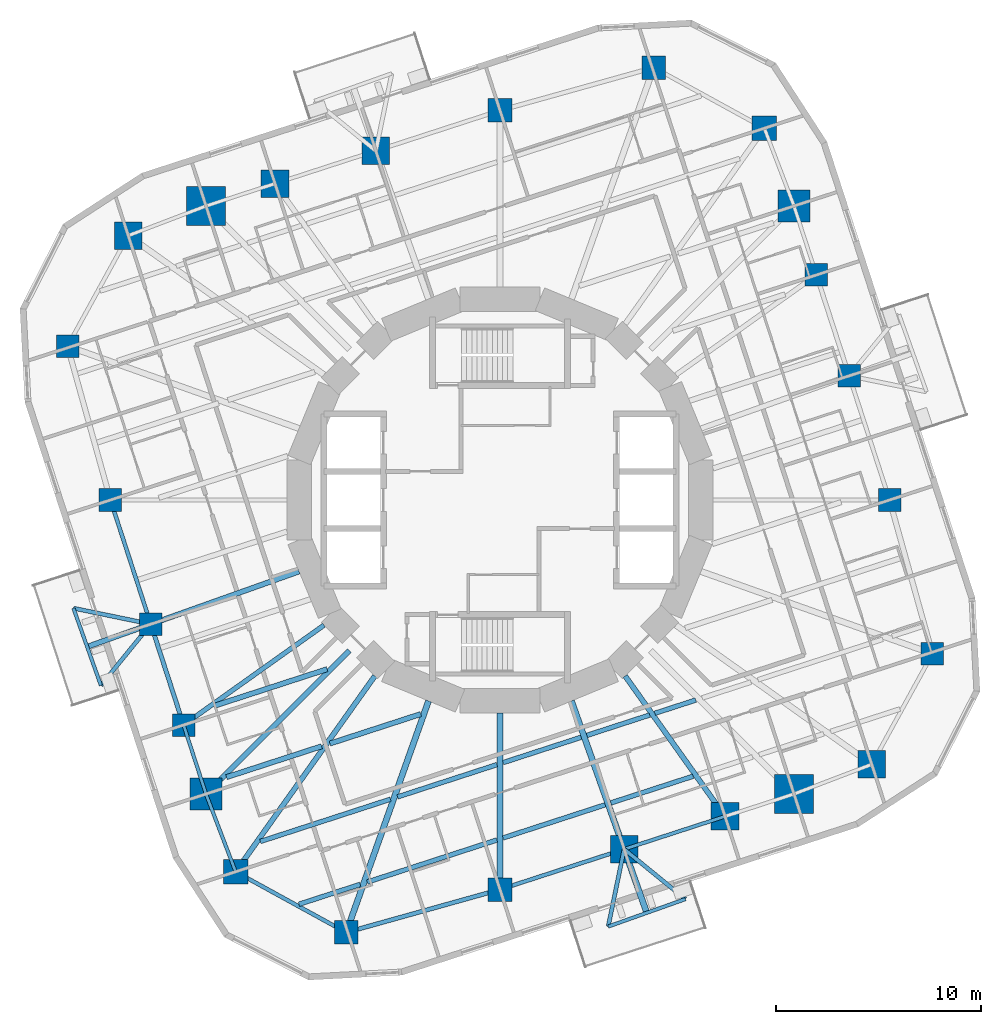
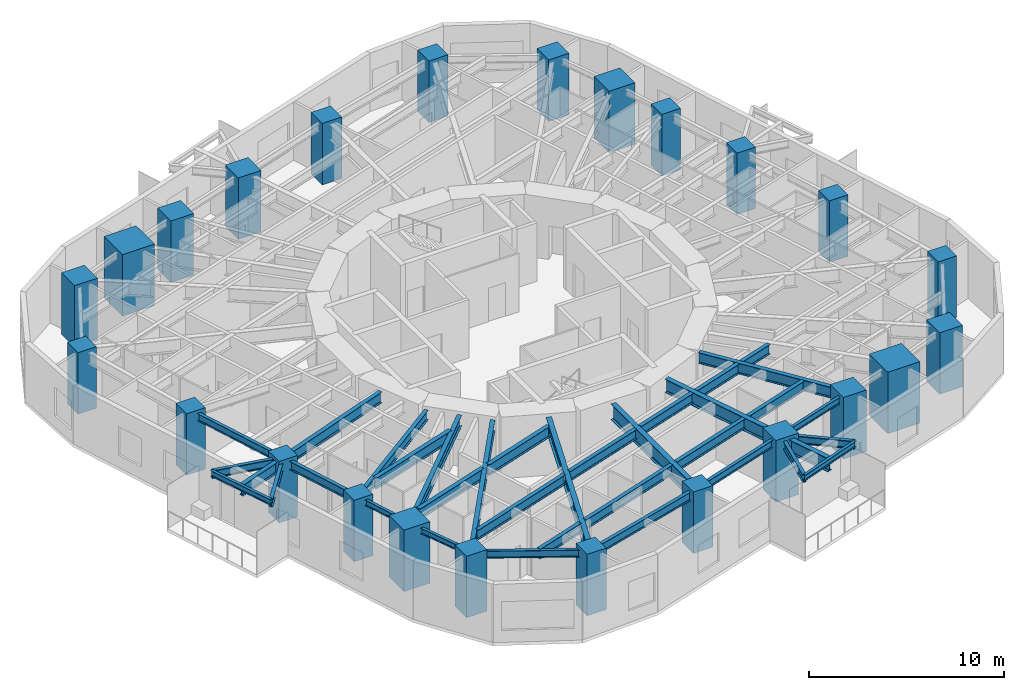
# One storey, part 1 of 12: 34 beams, 24 columns.
"""IFC4 building model written with IfcOpenShell, lengths in metres."""

from ifc_helpers import new_model, si_unit, direction, frame, origin, origin_2d, place, context, subcontext, project, spatial, rectangle, i_section, extrude, material, material_profile, profile_set, type_object, element, save


model = new_model("IFC4")

# Units and contexts
model_context = context("Model", 3, precision=1e-05, world=origin(), true_north=direction((0.0, 1.0)))
body_context = subcontext(model_context, "Body", "Model", "MODEL_VIEW")
ifc_project = project(units=[si_unit("LENGTHUNIT", "METRE"), si_unit("AREAUNIT", "SQUARE_METRE"), si_unit("VOLUMEUNIT", "CUBIC_METRE"), si_unit("PLANEANGLEUNIT", "RADIAN"), si_unit("MASSUNIT", "GRAM", prefix="KILO")], contexts=[model_context])

# Site, building, storey
site_placement = place(None, origin())
site = spatial("IfcSite", under=ifc_project, at=site_placement, CompositionType="ELEMENT")
building_placement = place(site_placement, origin())
building = spatial("IfcBuilding", under=site, at=building_placement, Name="Nakasero Lantern House", CompositionType="ELEMENT")
storey_placement = place(building_placement, frame((0.0, 0.0, 145.64990234375)))
storey = spatial("IfcBuildingStorey", under=building, at=storey_placement, Name="L35", CompositionType="ELEMENT", Elevation=145.64990234375)

# Columns
ifc_material_1 = material(Name="Concrete C50/60", Category="concrete")
ifc_material_profile_1 = material_profile(ifc_material_1, rectangle(XDim=1.550048828125, YDim=1.550048828125, at=origin_2d()), Name="RC 1550x1550")
ifc_profile_set_1 = profile_set([ifc_material_profile_1], Name="Concrete C50/60")
column_type_1 = type_object("IfcColumnType", Name="Mega column RC 1550x1550 C50/60", PredefinedType="COLUMN", material=ifc_profile_set_1)
for number, where, z_axis, x_axis, name in (
    (1, (14.3642578125, 14.3642578125, 0.0), (0.0, 0.0, 1.0), (1.0, 0.0, 0.0), "Column B4-C06 L35"),
    (2, (-14.3642578125, -14.3642578125, 0.0), (0.0, 0.0, 1.0), (1.0, 0.0, 0.0), "Column B4-C18 L35"),
):
    element("IfcColumn", number, at=place(storey_placement, frame(where, z_axis=z_axis, x_axis=x_axis)), inside=storey, type_object=column_type_1, Name=name, PredefinedType="COLUMN", context=body_context, shape_type="SweptSolid", body=[
        extrude(rectangle(XDim=1.550048828125, YDim=1.550048828125, at=origin_2d()), origin(), (0.0, 0.0, 1.0), 3.85009765625),
    ])
ifc_material_2 = material(Name="Concrete C50/60", Category="concrete")
ifc_material_profile_2 = material_profile(ifc_material_2, rectangle(XDim=1.89990234375, YDim=1.89990234375, at=origin_2d()), Name="RC 1900x1900")
ifc_profile_set_2 = profile_set([ifc_material_profile_2], Name="Concrete C50/60")
column_type_2 = type_object("IfcColumnType", Name="Mega column RC 1900x1900 C50/60", PredefinedType="COLUMN", material=ifc_profile_set_2)
for number, where, z_axis, x_axis, name in (
    (3, (-14.3642578125, 14.3642578125, 0.0), (0.0, 0.0, 1.0), (1.0, 0.0, 0.0), "Column B4-C12 L35"),
    (4, (14.3642578125, -14.3642578125, 0.0), (0.0, 0.0, 1.0), (1.0, 0.0, 0.0), "Column B4-C24 L35"),
):
    element("IfcColumn", number, at=place(storey_placement, frame(where, z_axis=z_axis, x_axis=x_axis)), inside=storey, type_object=column_type_2, Name=name, PredefinedType="COLUMN", context=body_context, shape_type="SweptSolid", body=[
        extrude(rectangle(XDim=1.89990234375, YDim=1.89990234375, at=origin_2d()), origin(), (0.0, 0.0, 1.0), 3.85009765625),
    ])
ifc_material_3 = material(Name="Concrete C50/60", Category="concrete")
ifc_material_profile_3 = material_profile(ifc_material_3, rectangle(XDim=1.10009765625, YDim=1.10009765625, at=origin_2d()), Name="RC 1100x1100")
ifc_profile_set_3 = profile_set([ifc_material_profile_3], Name="Concrete C50/60")
column_type_3 = type_object("IfcColumnType", Name="Ring column RC 1100x1100 C50/60", PredefinedType="COLUMN", material=ifc_profile_set_3)
for number, where, z_axis, x_axis, name in (
    (5, (21.129638671875, -7.5126953125, 0.0), (0.0, 0.0, 1.0), (1.0, 0.0, 0.0), "Column B4-C02 L35"),
    (6, (19.031494140625, 0.0, 0.0), (0.0, 0.0, 1.0), (1.0, 0.0, 0.0), "Column B4-C03 L35"),
    (7, (17.060546875, 6.06591796875, 0.0), (0.0, 0.0, 1.0), (1.0, 0.0, 0.0), "Column B4-C04 L35"),
    (8, (15.45947265625, 10.993408203125, 0.0), (0.0, 0.0, 1.0), (1.0, 0.0, 0.0), "Column B4-C05 L35"),
    (9, (-21.129638671875, 7.5126953125, 0.0), (0.0, 0.0, 1.0), (1.0, 0.0, 0.0), "Column B4-C14 L35"),
    (10, (-19.031494140625, 0.0, 0.0), (0.0, 0.0, 1.0), (1.0, 0.0, 0.0), "Column B4-C15 L35"),
    (11, (-17.060546875, -6.06591796875, 0.0), (0.0, 0.0, 1.0), (1.0, 0.0, 0.0), "Column B4-C16 L35"),
    (12, (-15.45947265625, -10.993408203125, 0.0), (0.0, 0.0, 1.0), (1.0, 0.0, 0.0), "Column B4-C17 L35"),
):
    element("IfcColumn", number, at=place(storey_placement, frame(where, z_axis=z_axis, x_axis=x_axis)), inside=storey, type_object=column_type_3, Name=name, PredefinedType="COLUMN", context=body_context, shape_type="SweptSolid", body=[
        extrude(rectangle(XDim=1.10009765625, YDim=1.10009765625, at=origin_2d()), origin(), (0.0, 0.0, 1.0), 3.85009765625),
    ])
ifc_material_4 = material(Name="Concrete C50/60", Category="concrete")
ifc_material_profile_4 = material_profile(ifc_material_4, rectangle(XDim=1.14990234375, YDim=1.14990234375, at=origin_2d()), Name="RC 1150x1150")
ifc_profile_set_4 = profile_set([ifc_material_profile_4], Name="Concrete C50/60")
column_type_4 = type_object("IfcColumnType", Name="Ring column RC 1150x1150 C50/60", PredefinedType="COLUMN", material=ifc_profile_set_4)
for number, where, z_axis, x_axis, name in (
    (13, (7.5126953125, 21.129638671875, 0.0), (0.0, 0.0, 1.0), (1.0, 0.0, 0.0), "Column B4-C08 L35"),
    (14, (0.0, 19.031494140625, 0.0), (0.0, 0.0, 1.0), (1.0, 0.0, 0.0), "Column B4-C09 L35"),
    (15, (-7.5126953125, -21.129638671875, 0.0), (0.0, 0.0, 1.0), (1.0, 0.0, 0.0), "Column B4-C20 L35"),
    (16, (0.0, -19.031494140625, 0.0), (0.0, 0.0, 1.0), (1.0, 0.0, 0.0), "Column B4-C21 L35"),
):
    element("IfcColumn", number, at=place(storey_placement, frame(where, z_axis=z_axis, x_axis=x_axis)), inside=storey, type_object=column_type_4, Name=name, PredefinedType="COLUMN", context=body_context, shape_type="SweptSolid", body=[
        extrude(rectangle(XDim=1.14990234375, YDim=1.14990234375, at=origin_2d()), origin(), (0.0, 0.0, 1.0), 3.85009765625),
    ])
ifc_material_5 = material(Name="Concrete C50/60", Category="concrete")
ifc_material_profile_5 = material_profile(ifc_material_5, rectangle(XDim=1.199951171875, YDim=1.199951171875, at=origin_2d()), Name="RC 1200x1200")
ifc_profile_set_5 = profile_set([ifc_material_profile_5], Name="Concrete C50/60")
column_type_5 = type_object("IfcColumnType", Name="Ring column RC 1200x1200 C50/60", PredefinedType="COLUMN", material=ifc_profile_set_5)
for number, where, z_axis, x_axis, name in (
    (17, (12.916015625, 18.1630859375, 0.0), (0.0, 0.0, 1.0), (1.0, 0.0, 0.0), "Column B4-C07 L35"),
    (18, (-12.916015625, -18.1630859375, 0.0), (0.0, 0.0, 1.0), (1.0, 0.0, 0.0), "Column B4-C19 L35"),
):
    element("IfcColumn", number, at=place(storey_placement, frame(where, z_axis=z_axis, x_axis=x_axis)), inside=storey, type_object=column_type_5, Name=name, PredefinedType="COLUMN", context=body_context, shape_type="SweptSolid", body=[
        extrude(rectangle(XDim=1.199951171875, YDim=1.199951171875, at=origin_2d()), origin(), (0.0, 0.0, 1.0), 3.85009765625),
    ])
ifc_material_6 = material(Name="Concrete C50/60", Category="concrete")
ifc_material_profile_6 = material_profile(ifc_material_6, rectangle(XDim=1.35009765625, YDim=1.35009765625, at=origin_2d()), Name="RC 1350x1350")
ifc_profile_set_6 = profile_set([ifc_material_profile_6], Name="Concrete C50/60")
column_type_6 = type_object("IfcColumnType", Name="Ring column RC 1350x1350 C50/60", PredefinedType="COLUMN", material=ifc_profile_set_6)
for number, where, z_axis, x_axis, name in (
    (19, (18.1630859375, -12.916015625, 0.0), (0.0, 0.0, 1.0), (1.0, 0.0, 0.0), "Column B4-C01 L35"),
    (20, (-6.06591796875, 17.060546875, 0.0), (0.0, 0.0, 1.0), (1.0, 0.0, 0.0), "Column B4-C10 L35"),
    (21, (-10.993408203125, 15.45947265625, 0.0), (0.0, 0.0, 1.0), (1.0, 0.0, 0.0), "Column B4-C11 L35"),
    (22, (-18.1630859375, 12.916015625, 0.0), (0.0, 0.0, 1.0), (1.0, 0.0, 0.0), "Column B4-C13 L35"),
    (23, (6.06591796875, -17.060546875, 0.0), (0.0, 0.0, 1.0), (1.0, 0.0, 0.0), "Column B4-C22 L35"),
    (24, (10.993408203125, -15.45947265625, 0.0), (0.0, 0.0, 1.0), (1.0, 0.0, 0.0), "Column B4-C23 L35"),
):
    element("IfcColumn", number, at=place(storey_placement, frame(where, z_axis=z_axis, x_axis=x_axis)), inside=storey, type_object=column_type_6, Name=name, PredefinedType="COLUMN", context=body_context, shape_type="SweptSolid", body=[
        extrude(rectangle(XDim=1.35009765625, YDim=1.35009765625, at=origin_2d()), origin(), (0.0, 0.0, 1.0), 3.85009765625),
    ])

# Beams
ifc_material_7 = material(Name="Steel S355", Category="steel")
ifc_material_profile_7 = material_profile(ifc_material_7, i_section(OverallWidth=0.199462890625, OverallDepth=0.491943359375, WebThickness=0.01806640625, FlangeThickness=0.031982421875, FilletRadius=0.01025390625, at=origin_2d()), Name="UB 457x191x161")
ifc_profile_set_7 = profile_set([ifc_material_profile_7], Name="Steel S355")
beam_type_1 = type_object("IfcBeamType", Name="Balcony splay beam UB 457x191x161", PredefinedType="BEAM", material=ifc_profile_set_7)
for number, where, z_axis, x_axis, name in (
    (25, (-17.060546875, -6.06591796875, 3.404052734375), (-0.632127727159, -0.774864205236, 0.0), (0.774864205236, -0.632127727159, 0.0), "Balcony splay beam L36 B4-C16A"),
    (26, (-17.060546875, -6.06591796875, 3.404052734375), (-0.979420272605, 0.201831438605, 0.0), (-0.201831438605, -0.979420272605, 0.0), "Balcony splay beam L36 B4-C16B"),
    (27, (6.06591796875, -17.060546875, 3.404052734375), (0.774864205236, -0.632127727159, 0.0), (0.632127727159, 0.774864205236, 0.0), "Balcony splay beam L36 B4-C22A"),
    (28, (6.06591796875, -17.060546875, 3.404052734375), (-0.201831438605, -0.979420272605, 0.0), (0.979420272605, -0.201831438605, 0.0), "Balcony splay beam L36 B4-C22B"),
):
    element("IfcBeam", number, at=place(storey_placement, frame(where, z_axis=z_axis, x_axis=x_axis)), inside=storey, type_object=beam_type_1, Name=name, PredefinedType="BEAM", context=body_context, shape_type="SweptSolid", body=[
        extrude(i_section(OverallWidth=0.199462890625, OverallDepth=0.491943359375, WebThickness=0.01806640625, FlangeThickness=0.031982421875, FilletRadius=0.01025390625, at=origin_2d()), origin(), (0.0, 0.0, 1.0), 3.858642578125),
    ])
ifc_material_8 = material(Name="Steel S355", Category="steel")
ifc_material_profile_8 = material_profile(ifc_material_8, i_section(OverallWidth=0.17138671875, OverallDepth=0.35498046875, WebThickness=0.00732421875, FlangeThickness=0.011474609375, FilletRadius=0.01025390625, at=origin_2d()), Name="UB 356x171x51")
ifc_profile_set_8 = profile_set([ifc_material_profile_8], Name="Steel S355")
beam_type_2 = type_object("IfcBeamType", Name="Balcony tie beam UB 356x171x51", PredefinedType="BEAM", material=ifc_profile_set_8)
for number, where, z_axis, x_axis, name in (
    (29, (-19.499755859375, -9.055908203125, 3.47265625), (-0.335025321236, 0.942209124415, 0.0), (-0.942209124415, -0.335025321236, 0.0), "Balcony tie beam L36 B4-C16"),
    (30, (9.055908203125, -19.499755859375, 3.47265625), (-0.942209124415, -0.335025321236, 0.0), (0.335025321236, -0.942209124415, 0.0), "Balcony tie beam L36 B4-C22"),
):
    element("IfcBeam", number, at=place(storey_placement, frame(where, z_axis=z_axis, x_axis=x_axis)), inside=storey, type_object=beam_type_2, Name=name, PredefinedType="BEAM", context=body_context, shape_type="SweptSolid", body=[
        extrude(i_section(OverallWidth=0.17138671875, OverallDepth=0.35498046875, WebThickness=0.00732421875, FlangeThickness=0.011474609375, FilletRadius=0.01025390625, at=origin_2d()), origin(), (0.0, 0.0, 1.0), 4.0),
    ])
ifc_material_9 = material(Name="Steel S355", Category="steel")
ifc_material_profile_9 = material_profile(ifc_material_9, i_section(OverallWidth=0.22900390625, OverallDepth=0.6123046875, WebThickness=0.011962890625, FlangeThickness=0.01953125, FilletRadius=0.0126953125, at=origin_2d()), Name="UB 610x229x125")
ifc_profile_set_9 = profile_set([ifc_material_profile_9], Name="Steel S355")
beam_type_3 = type_object("IfcBeamType", Name="Infill beam UB 610x229x125", PredefinedType="JOIST", material=ifc_profile_set_9)
beam_1_placement = place(storey_placement, frame((-9.823974609375, -19.75244140625, 3.343994140625), z_axis=(0.951054602662, 0.309022883872, 0.0), x_axis=(-0.309022883872, 0.951054602662, 0.0)))
element("IfcBeam", 31, at=beam_1_placement, inside=storey, type_object=beam_type_3, Name="Infill beam L36 03.1", PredefinedType="JOIST", context=body_context, shape_type="SweptSolid", body=[
    extrude(i_section(OverallWidth=0.22900390625, OverallDepth=0.6123046875, WebThickness=0.011962890625, FlangeThickness=0.01953125, FilletRadius=0.0126953125, at=origin_2d()), origin(), (0.0, 0.0, 1.0), 3.145263671875),
])
beam_2_placement = place(storey_placement, frame((-6.48193359375, -18.66650390625, 3.343994140625), z_axis=(0.951068556075, 0.308979937287, 0.0), x_axis=(-0.308979937287, 0.951068556075, 0.0)))
element("IfcBeam", 32, at=beam_2_placement, inside=storey, type_object=beam_type_3, Name="Infill beam L36 03.2", PredefinedType="JOIST", context=body_context, shape_type="SweptSolid", body=[
    extrude(i_section(OverallWidth=0.22900390625, OverallDepth=0.6123046875, WebThickness=0.011962890625, FlangeThickness=0.01953125, FilletRadius=0.0126953125, at=origin_2d()), origin(), (0.0, 0.0, 1.0), 6.65771484375),
])
beam_3_placement = place(storey_placement, frame((0.14990234375, -16.51171875, 3.343994140625), z_axis=(0.951061765699, 0.309000837904, 0.0), x_axis=(-0.309000837904, 0.951061765699, 0.0)))
element("IfcBeam", 33, at=beam_3_placement, inside=storey, type_object=beam_type_3, Name="Infill beam L36 03.3", PredefinedType="JOIST", context=body_context, shape_type="SweptSolid", body=[
    extrude(i_section(OverallWidth=0.22900390625, OverallDepth=0.6123046875, WebThickness=0.011962890625, FlangeThickness=0.01953125, FilletRadius=0.0126953125, at=origin_2d()), origin(), (0.0, 0.0, 1.0), 5.246337890625),
])
beam_4_placement = place(storey_placement, frame((5.41748046875, -14.80029296875, 3.343994140625), z_axis=(0.951057398427, 0.30901427944, 0.0), x_axis=(-0.30901427944, 0.951057398427, 0.0)))
element("IfcBeam", 34, at=beam_4_placement, inside=storey, type_object=beam_type_3, Name="Infill beam L36 03.4", PredefinedType="JOIST", context=body_context, shape_type="SweptSolid", body=[
    extrude(i_section(OverallWidth=0.22900390625, OverallDepth=0.6123046875, WebThickness=0.011962890625, FlangeThickness=0.01953125, FilletRadius=0.0126953125, at=origin_2d()), origin(), (0.0, 0.0, 1.0), 4.229248046875),
])
beam_5_placement = place(storey_placement, frame((-11.709228515625, -16.68505859375, 3.343994140625), z_axis=(0.951056080098, 0.30901833685, 0.0), x_axis=(-0.30901833685, 0.951056080098, 0.0)))
element("IfcBeam", 35, at=beam_5_placement, inside=storey, type_object=beam_type_3, Name="Infill beam L36 04.1", PredefinedType="JOIST", context=body_context, shape_type="SweptSolid", body=[
    extrude(i_section(OverallWidth=0.22900390625, OverallDepth=0.6123046875, WebThickness=0.011962890625, FlangeThickness=0.01953125, FilletRadius=0.0126953125, at=origin_2d()), origin(), (0.0, 0.0, 1.0), 6.68310546875),
])
beam_6_placement = place(storey_placement, frame((-5.00244140625, -14.505859375, 3.343994140625), z_axis=(0.951057977144, 0.309012498309, 0.0), x_axis=(-0.309012498309, 0.951057977144, 0.0)))
element("IfcBeam", 36, at=beam_6_placement, inside=storey, type_object=beam_type_3, Name="Infill beam L36 04.2", PredefinedType="JOIST", context=body_context, shape_type="SweptSolid", body=[
    extrude(i_section(OverallWidth=0.22900390625, OverallDepth=0.6123046875, WebThickness=0.011962890625, FlangeThickness=0.01953125, FilletRadius=0.0126953125, at=origin_2d()), origin(), (0.0, 0.0, 1.0), 5.102294921875),
])
beam_7_placement = place(storey_placement, frame((0.14990234375, -12.831787109375, 3.343994140625), z_axis=(0.95105910343, 0.309009031878, 0.0), x_axis=(-0.309009031878, 0.95105910343, 0.0)))
element("IfcBeam", 37, at=beam_7_placement, inside=storey, type_object=beam_type_3, Name="Infill beam L36 04.3", PredefinedType="JOIST", context=body_context, shape_type="SweptSolid", body=[
    extrude(i_section(OverallWidth=0.22900390625, OverallDepth=0.6123046875, WebThickness=0.011962890625, FlangeThickness=0.01953125, FilletRadius=0.0126953125, at=origin_2d()), origin(), (0.0, 0.0, 1.0), 4.0126953125),
])
beam_8_placement = place(storey_placement, frame((4.24462890625, -11.501220703125, 3.343994140625), z_axis=(0.951054080044, 0.309024492283, 0.0), x_axis=(-0.309024492283, 0.951054080044, 0.0)))
element("IfcBeam", 38, at=beam_8_placement, inside=storey, type_object=beam_type_3, Name="Infill beam L36 04.4", PredefinedType="JOIST", context=body_context, shape_type="SweptSolid", body=[
    extrude(i_section(OverallWidth=0.22900390625, OverallDepth=0.6123046875, WebThickness=0.011962890625, FlangeThickness=0.01953125, FilletRadius=0.0126953125, at=origin_2d()), origin(), (0.0, 0.0, 1.0), 3.227294921875),
])
beam_9_placement = place(storey_placement, frame((7.566650390625, -10.421875, 3.343994140625), z_axis=(0.951053739923, 0.30902553904, 0.0), x_axis=(-0.30902553904, 0.951053739923, 0.0)))
element("IfcBeam", 39, at=beam_9_placement, inside=storey, type_object=beam_type_3, Name="Infill beam L36 04.5", PredefinedType="JOIST", context=body_context, shape_type="SweptSolid", body=[
    extrude(i_section(OverallWidth=0.22900390625, OverallDepth=0.6123046875, WebThickness=0.011962890625, FlangeThickness=0.01953125, FilletRadius=0.0126953125, at=origin_2d()), origin(), (0.0, 0.0, 1.0), 2.09765625),
])
ifc_material_10 = material(Name="Steel S355", Category="steel")
ifc_material_profile_10 = material_profile(ifc_material_10, i_section(OverallWidth=0.253662109375, OverallDepth=0.68359375, WebThickness=0.012451171875, FlangeThickness=0.01904296875, FilletRadius=0.01513671875, at=origin_2d()), Name="UB 686x254x140")
ifc_profile_set_10 = profile_set([ifc_material_profile_10], Name="Steel S355")
beam_type_4 = type_object("IfcBeamType", Name="Infill beam UB 686x254x140", PredefinedType="JOIST", material=ifc_profile_set_10)
beam_10_placement = place(storey_placement, frame((-13.36279296875, -13.5419921875, 3.308349609375), z_axis=(0.951061574069, 0.309001427713, 0.0), x_axis=(-0.309001427713, 0.951061574069, 0.0)))
element("IfcBeam", 40, at=beam_10_placement, inside=storey, type_object=beam_type_4, Name="Infill beam L36 05.1", PredefinedType="JOIST", context=body_context, shape_type="SweptSolid", body=[
    extrude(i_section(OverallWidth=0.253662109375, OverallDepth=0.68359375, WebThickness=0.012451171875, FlangeThickness=0.01904296875, FilletRadius=0.01513671875, at=origin_2d()), origin(), (0.0, 0.0, 1.0), 4.8916015625),
])
beam_11_placement = place(storey_placement, frame((-8.305908203125, -11.89892578125, 3.308349609375), z_axis=(0.95106063111, 0.309004329989, 0.0), x_axis=(-0.309004329989, 0.95106063111, 0.0)))
element("IfcBeam", 41, at=beam_11_placement, inside=storey, type_object=beam_type_4, Name="Infill beam L36 05.2", PredefinedType="JOIST", context=body_context, shape_type="SweptSolid", body=[
    extrude(i_section(OverallWidth=0.253662109375, OverallDepth=0.68359375, WebThickness=0.012451171875, FlangeThickness=0.01904296875, FilletRadius=0.01513671875, at=origin_2d()), origin(), (0.0, 0.0, 1.0), 4.659912109375),
])
beam_12_placement = place(storey_placement, frame((-13.93017578125, -10.04638671875, 3.308349609375), z_axis=(0.951055211673, 0.309021009559, 0.0), x_axis=(-0.309021009559, 0.951055211673, 0.0)))
element("IfcBeam", 42, at=beam_12_placement, inside=storey, type_object=beam_type_4, Name="Infill beam L36 06.1", PredefinedType="JOIST", context=body_context, shape_type="SweptSolid", body=[
    extrude(i_section(OverallWidth=0.253662109375, OverallDepth=0.68359375, WebThickness=0.012451171875, FlangeThickness=0.01904296875, FilletRadius=0.01513671875, at=origin_2d()), origin(), (0.0, 0.0, 1.0), 5.769775390625),
])
ifc_material_11 = material(Name="Steel S355", Category="steel")
ifc_material_profile_11 = material_profile(ifc_material_11, i_section(OverallWidth=0.300048828125, OverallDepth=0.97998046875, WebThickness=0.0166015625, FlangeThickness=0.02587890625, FilletRadius=0.030029296875, at=origin_2d()), Name="UB 1016x305x249")
ifc_profile_set_11 = profile_set([ifc_material_profile_11], Name="Steel S355")
beam_type_5 = type_object("IfcBeamType", Name="Primary beam UB 1016x305x249, span 6 to 9 m", PredefinedType="BEAM", material=ifc_profile_set_11)
beam_13_placement = place(storey_placement, frame((0.0, -19.031494140625, 3.16015625), z_axis=(0.0, 1.0, 0.0), x_axis=(-1.0, 0.0, 0.0)))
element("IfcBeam", 43, at=beam_13_placement, inside=storey, type_object=beam_type_5, Name="Primary beam L36 B4-C21", PredefinedType="BEAM", context=body_context, shape_type="SweptSolid", body=[
    extrude(i_section(OverallWidth=0.300048828125, OverallDepth=0.97998046875, WebThickness=0.0166015625, FlangeThickness=0.02587890625, FilletRadius=0.030029296875, at=origin_2d()), origin(), (0.0, 0.0, 1.0), 8.62353515625),
])
ifc_material_12 = material(Name="Steel S355", Category="steel")
ifc_material_profile_12 = material_profile(ifc_material_12, i_section(OverallWidth=0.22900390625, OverallDepth=0.6123046875, WebThickness=0.011962890625, FlangeThickness=0.01953125, FilletRadius=0.0126953125, at=origin_2d()), Name="UB 610x229x125")
ifc_profile_set_12 = profile_set([ifc_material_profile_12], Name="Steel S355")
beam_type_6 = type_object("IfcBeamType", Name="Primary beam UB 610x229x125, span 6 to 9 m", PredefinedType="BEAM", material=ifc_profile_set_12)
beam_14_placement = place(storey_placement, frame((-15.45947265625, -10.993408203125, 3.343994140625), z_axis=(0.81495106139, 0.579529781409, 0.0), x_axis=(-0.579529781409, 0.81495106139, 0.0)))
element("IfcBeam", 44, at=beam_14_placement, inside=storey, type_object=beam_type_6, Name="Primary beam L36 B4-C17", PredefinedType="BEAM", context=body_context, shape_type="SweptSolid", body=[
    extrude(i_section(OverallWidth=0.22900390625, OverallDepth=0.6123046875, WebThickness=0.011962890625, FlangeThickness=0.01953125, FilletRadius=0.0126953125, at=origin_2d()), origin(), (0.0, 0.0, 1.0), 8.41455078125),
])
ifc_material_13 = material(Name="Steel S355", Category="steel")
ifc_material_profile_13 = material_profile(ifc_material_13, i_section(OverallWidth=0.253662109375, OverallDepth=0.68359375, WebThickness=0.012451171875, FlangeThickness=0.01904296875, FilletRadius=0.01513671875, at=origin_2d()), Name="UB 686x254x140")
ifc_profile_set_13 = profile_set([ifc_material_profile_13], Name="Steel S355")
beam_type_7 = type_object("IfcBeamType", Name="Primary beam UB 686x254x140, span 6 to 9 m", PredefinedType="BEAM", material=ifc_profile_set_13)
beam_15_placement = place(storey_placement, frame((-20.169921875, -7.17138671875, 3.308349609375), z_axis=(0.942215625619, 0.335007036998, 0.0), x_axis=(-0.335007036998, 0.942215625619, 0.0)))
element("IfcBeam", 45, at=beam_15_placement, inside=storey, type_object=beam_type_7, Name="Primary beam L36 B4-C16", PredefinedType="BEAM", context=body_context, shape_type="SweptSolid", body=[
    extrude(i_section(OverallWidth=0.253662109375, OverallDepth=0.68359375, WebThickness=0.012451171875, FlangeThickness=0.01904296875, FilletRadius=0.01513671875, at=origin_2d()), origin(), (0.0, 0.0, 1.0), 10.9853515625),
])
beam_16_placement = place(storey_placement, frame((10.993408203125, -15.45947265625, 3.308349609375), z_axis=(-0.579529781409, 0.81495106139, 0.0), x_axis=(-0.81495106139, -0.579529781409, 0.0)))
element("IfcBeam", 46, at=beam_16_placement, inside=storey, type_object=beam_type_7, Name="Primary beam L36 B4-C23", PredefinedType="BEAM", context=body_context, shape_type="SweptSolid", body=[
    extrude(i_section(OverallWidth=0.253662109375, OverallDepth=0.68359375, WebThickness=0.012451171875, FlangeThickness=0.01904296875, FilletRadius=0.01513671875, at=origin_2d()), origin(), (0.0, 0.0, 1.0), 8.41455078125),
])
ifc_material_14 = material(Name="Steel S355", Category="steel")
ifc_material_profile_14 = material_profile(ifc_material_14, i_section(OverallWidth=0.253662109375, OverallDepth=0.68359375, WebThickness=0.012451171875, FlangeThickness=0.01904296875, FilletRadius=0.01513671875, at=origin_2d()), Name="UB 686x254x140")
ifc_profile_set_14 = profile_set([ifc_material_profile_14], Name="Steel S355")
beam_type_8 = type_object("IfcBeamType", Name="Primary beam UB 686x254x140, span 9 to 12 m", PredefinedType="BEAM", material=ifc_profile_set_14)
beam_17_placement = place(storey_placement, frame((-14.3642578125, -14.3642578125, 3.308349609375), z_axis=(0.707106781187, 0.707106781187, 0.0), x_axis=(-0.707106781187, 0.707106781187, 0.0)))
element("IfcBeam", 47, at=beam_17_placement, inside=storey, type_object=beam_type_8, Name="Primary beam L36 B4-C18", PredefinedType="BEAM", context=body_context, shape_type="SweptSolid", body=[
    extrude(i_section(OverallWidth=0.253662109375, OverallDepth=0.68359375, WebThickness=0.012451171875, FlangeThickness=0.01904296875, FilletRadius=0.01513671875, at=origin_2d()), origin(), (0.0, 0.0, 1.0), 9.906494140625),
])
beam_18_placement = place(storey_placement, frame((-12.916015625, -18.1630859375, 3.308349609375), z_axis=(0.579530236062, 0.814950738075, 0.0), x_axis=(-0.814950738075, 0.579530236062, 0.0)))
element("IfcBeam", 48, at=beam_18_placement, inside=storey, type_object=beam_type_8, Name="Primary beam L36 B4-C19", PredefinedType="BEAM", context=body_context, shape_type="SweptSolid", body=[
    extrude(i_section(OverallWidth=0.253662109375, OverallDepth=0.68359375, WebThickness=0.012451171875, FlangeThickness=0.01904296875, FilletRadius=0.01513671875, at=origin_2d()), origin(), (0.0, 0.0, 1.0), 11.73193359375),
])
ifc_material_15 = material(Name="Steel S355", Category="steel")
ifc_material_profile_15 = material_profile(ifc_material_15, i_section(OverallWidth=0.29248046875, OverallDepth=0.8408203125, WebThickness=0.0146484375, FlangeThickness=0.02685546875, FilletRadius=0.017822265625, at=origin_2d()), Name="UB 838x292x194")
ifc_profile_set_15 = profile_set([ifc_material_profile_15], Name="Steel S355")
beam_type_9 = type_object("IfcBeamType", Name="Primary beam UB 838x292x194, span 12 to 15 m", PredefinedType="BEAM", material=ifc_profile_set_15)
beam_19_placement = place(storey_placement, frame((-7.5126953125, -21.129638671875, 3.229736328125), z_axis=(0.335012877559, 0.942213548974, 0.0), x_axis=(-0.942213548974, 0.335012877559, 0.0)))
element("IfcBeam", 49, at=beam_19_placement, inside=storey, type_object=beam_type_9, Name="Primary beam L36 B4-C20", PredefinedType="BEAM", context=body_context, shape_type="SweptSolid", body=[
    extrude(i_section(OverallWidth=0.29248046875, OverallDepth=0.8408203125, WebThickness=0.0146484375, FlangeThickness=0.02685546875, FilletRadius=0.017822265625, at=origin_2d()), origin(), (0.0, 0.0, 1.0), 12.00390625),
])
ifc_material_16 = material(Name="Steel S355", Category="steel")
ifc_material_profile_16 = material_profile(ifc_material_16, i_section(OverallWidth=0.29248046875, OverallDepth=0.8408203125, WebThickness=0.0146484375, FlangeThickness=0.02685546875, FilletRadius=0.017822265625, at=origin_2d()), Name="UB 838x292x194")
ifc_profile_set_16 = profile_set([ifc_material_profile_16], Name="Steel S355")
beam_type_10 = type_object("IfcBeamType", Name="Primary beam UB 838x292x194, span 6 to 9 m", PredefinedType="BEAM", material=ifc_profile_set_16)
beam_20_placement = place(storey_placement, frame((7.17138671875, -20.169921875, 3.229736328125), z_axis=(-0.335007036998, 0.942215625619, 0.0), x_axis=(-0.942215625619, -0.335007036998, 0.0)))
element("IfcBeam", 50, at=beam_20_placement, inside=storey, type_object=beam_type_10, Name="Primary beam L36 B4-C22", PredefinedType="BEAM", context=body_context, shape_type="SweptSolid", body=[
    extrude(i_section(OverallWidth=0.29248046875, OverallDepth=0.8408203125, WebThickness=0.0146484375, FlangeThickness=0.02685546875, FilletRadius=0.017822265625, at=origin_2d()), origin(), (0.0, 0.0, 1.0), 10.9853515625),
])
ifc_material_17 = material(Name="Steel S355", Category="steel")
ifc_material_profile_17 = material_profile(ifc_material_17, i_section(OverallWidth=0.17138671875, OverallDepth=0.35498046875, WebThickness=0.00732421875, FlangeThickness=0.011474609375, FilletRadius=0.01025390625, at=origin_2d()), Name="UB 356x171x51")
ifc_profile_set_17 = profile_set([ifc_material_profile_17], Name="Steel S355")
beam_type_11 = type_object("IfcBeamType", Name="Ring beam UB 356x171x51", PredefinedType="BEAM", material=ifc_profile_set_17)
beam_21_placement = place(storey_placement, frame((-15.45947265625, -10.993408203125, 3.47265625), z_axis=(0.309006636447, -0.951059881727, 0.0), x_axis=(0.951059881727, 0.309006636447, 0.0)))
element("IfcBeam", 51, at=beam_21_placement, inside=storey, type_object=beam_type_11, Name="Ring beam L36 B4-C17", PredefinedType="BEAM", context=body_context, shape_type="SweptSolid", body=[
    extrude(i_section(OverallWidth=0.17138671875, OverallDepth=0.35498046875, WebThickness=0.00732421875, FlangeThickness=0.011474609375, FilletRadius=0.01025390625, at=origin_2d()), origin(), (0.0, 0.0, 1.0), 3.544189453125),
])
beam_22_placement = place(storey_placement, frame((-14.3642578125, -14.3642578125, 3.47265625), z_axis=(0.35622505813, -0.934400186194, 0.0), x_axis=(0.934400186194, 0.35622505813, 0.0)))
element("IfcBeam", 52, at=beam_22_placement, inside=storey, type_object=beam_type_11, Name="Ring beam L36 B4-C18", PredefinedType="BEAM", context=body_context, shape_type="SweptSolid", body=[
    extrude(i_section(OverallWidth=0.17138671875, OverallDepth=0.35498046875, WebThickness=0.00732421875, FlangeThickness=0.011474609375, FilletRadius=0.01025390625, at=origin_2d()), origin(), (0.0, 0.0, 1.0), 4.0654296875),
])
ifc_material_18 = material(Name="Steel S355", Category="steel")
ifc_material_profile_18 = material_profile(ifc_material_18, i_section(OverallWidth=0.177978515625, OverallDepth=0.406494140625, WebThickness=0.0078125, FlangeThickness=0.0126953125, FilletRadius=0.01025390625, at=origin_2d()), Name="UB 406x178x60")
ifc_profile_set_18 = profile_set([ifc_material_profile_18], Name="Steel S355")
beam_type_12 = type_object("IfcBeamType", Name="Ring beam UB 406x178x60", PredefinedType="BEAM", material=ifc_profile_set_18)
beam_23_placement = place(storey_placement, frame((6.06591796875, -17.060546875, 3.44677734375), z_axis=(0.95105449754, 0.309023207396, 0.0), x_axis=(-0.309023207396, 0.95105449754, 0.0)))
element("IfcBeam", 53, at=beam_23_placement, inside=storey, type_object=beam_type_12, Name="Ring beam L36 B4-C22", PredefinedType="BEAM", context=body_context, shape_type="SweptSolid", body=[
    extrude(i_section(OverallWidth=0.177978515625, OverallDepth=0.406494140625, WebThickness=0.0078125, FlangeThickness=0.0126953125, FilletRadius=0.01025390625, at=origin_2d()), origin(), (0.0, 0.0, 1.0), 5.18115234375),
])
ifc_material_19 = material(Name="Steel S355", Category="steel")
ifc_material_profile_19 = material_profile(ifc_material_19, i_section(OverallWidth=0.18994140625, OverallDepth=0.453369140625, WebThickness=0.008544921875, FlangeThickness=0.0126953125, FilletRadius=0.01025390625, at=origin_2d()), Name="UB 457x191x67")
ifc_profile_set_19 = profile_set([ifc_material_profile_19], Name="Steel S355")
beam_type_13 = type_object("IfcBeamType", Name="Ring beam UB 457x191x67", PredefinedType="BEAM", material=ifc_profile_set_19)
beam_24_placement = place(storey_placement, frame((-19.031494140625, 0.0, 3.42333984375), z_axis=(0.309018560274, -0.951056007502, 0.0), x_axis=(0.951056007502, 0.309018560274, 0.0)))
element("IfcBeam", 54, at=beam_24_placement, inside=storey, type_object=beam_type_13, Name="Ring beam L36 B4-C15", PredefinedType="BEAM", context=body_context, shape_type="SweptSolid", body=[
    extrude(i_section(OverallWidth=0.18994140625, OverallDepth=0.453369140625, WebThickness=0.008544921875, FlangeThickness=0.0126953125, FilletRadius=0.01025390625, at=origin_2d()), origin(), (0.0, 0.0, 1.0), 6.378173828125),
])
beam_25_placement = place(storey_placement, frame((-12.916015625, -18.1630859375, 3.42333984375), z_axis=(0.876576912681, -0.481261795861, 0.0), x_axis=(0.481261795861, 0.876576912681, 0.0)))
element("IfcBeam", 55, at=beam_25_placement, inside=storey, type_object=beam_type_13, Name="Ring beam L36 B4-C19", PredefinedType="BEAM", context=body_context, shape_type="SweptSolid", body=[
    extrude(i_section(OverallWidth=0.18994140625, OverallDepth=0.453369140625, WebThickness=0.008544921875, FlangeThickness=0.0126953125, FilletRadius=0.01025390625, at=origin_2d()), origin(), (0.0, 0.0, 1.0), 6.1640625),
])
ifc_material_20 = material(Name="Steel S355", Category="steel")
ifc_material_profile_20 = material_profile(ifc_material_20, i_section(OverallWidth=0.19140625, OverallDepth=0.4599609375, WebThickness=0.010009765625, FlangeThickness=0.01611328125, FilletRadius=0.01025390625, at=origin_2d()), Name="UB 457x191x82")
ifc_profile_set_20 = profile_set([ifc_material_profile_20], Name="Steel S355")
beam_type_14 = type_object("IfcBeamType", Name="Ring beam UB 457x191x82", PredefinedType="BEAM", material=ifc_profile_set_20)
beam_26_placement = place(storey_placement, frame((0.0, -19.031494140625, 3.420166015625), z_axis=(0.951056007502, 0.309018560274, 0.0), x_axis=(-0.309018560274, 0.951056007502, 0.0)))
element("IfcBeam", 56, at=beam_26_placement, inside=storey, type_object=beam_type_14, Name="Ring beam L36 B4-C21", PredefinedType="BEAM", context=body_context, shape_type="SweptSolid", body=[
    extrude(i_section(OverallWidth=0.19140625, OverallDepth=0.4599609375, WebThickness=0.010009765625, FlangeThickness=0.01611328125, FilletRadius=0.01025390625, at=origin_2d()), origin(), (0.0, 0.0, 1.0), 6.378173828125),
])
ifc_material_21 = material(Name="Steel S355", Category="steel")
ifc_material_profile_21 = material_profile(ifc_material_21, i_section(OverallWidth=0.2099609375, OverallDepth=0.53662109375, WebThickness=0.0107421875, FlangeThickness=0.017333984375, FilletRadius=0.0126953125, at=origin_2d()), Name="UB 533x210x101")
ifc_profile_set_21 = profile_set([ifc_material_profile_21], Name="Steel S355")
beam_type_15 = type_object("IfcBeamType", Name="Ring beam UB 533x210x101", PredefinedType="BEAM", material=ifc_profile_set_21)
beam_27_placement = place(storey_placement, frame((-17.060546875, -6.06591796875, 3.3818359375), z_axis=(0.309023207396, -0.95105449754, 0.0), x_axis=(0.95105449754, 0.309023207396, 0.0)))
element("IfcBeam", 57, at=beam_27_placement, inside=storey, type_object=beam_type_15, Name="Ring beam L36 B4-C16", PredefinedType="BEAM", context=body_context, shape_type="SweptSolid", body=[
    extrude(i_section(OverallWidth=0.2099609375, OverallDepth=0.53662109375, WebThickness=0.0107421875, FlangeThickness=0.017333984375, FilletRadius=0.0126953125, at=origin_2d()), origin(), (0.0, 0.0, 1.0), 5.18115234375),
])
ifc_material_22 = material(Name="Steel S355", Category="steel")
ifc_material_profile_22 = material_profile(ifc_material_22, i_section(OverallWidth=0.208740234375, OverallDepth=0.5283203125, WebThickness=0.009521484375, FlangeThickness=0.01318359375, FilletRadius=0.0126953125, at=origin_2d()), Name="UB 533x210x82")
ifc_profile_set_22 = profile_set([ifc_material_profile_22], Name="Steel S355")
beam_type_16 = type_object("IfcBeamType", Name="Ring beam UB 533x210x82", PredefinedType="BEAM", material=ifc_profile_set_22)
beam_28_placement = place(storey_placement, frame((-7.5126953125, -21.129638671875, 3.385986328125), z_axis=(0.963143892339, 0.268986696047, 0.0), x_axis=(-0.268986696047, 0.963143892339, 0.0)))
element("IfcBeam", 58, at=beam_28_placement, inside=storey, type_object=beam_type_16, Name="Ring beam L36 B4-C20", PredefinedType="BEAM", context=body_context, shape_type="SweptSolid", body=[
    extrude(i_section(OverallWidth=0.208740234375, OverallDepth=0.5283203125, WebThickness=0.009521484375, FlangeThickness=0.01318359375, FilletRadius=0.0126953125, at=origin_2d()), origin(), (0.0, 0.0, 1.0), 7.80029296875),
])

save(model, "model.ifc")
